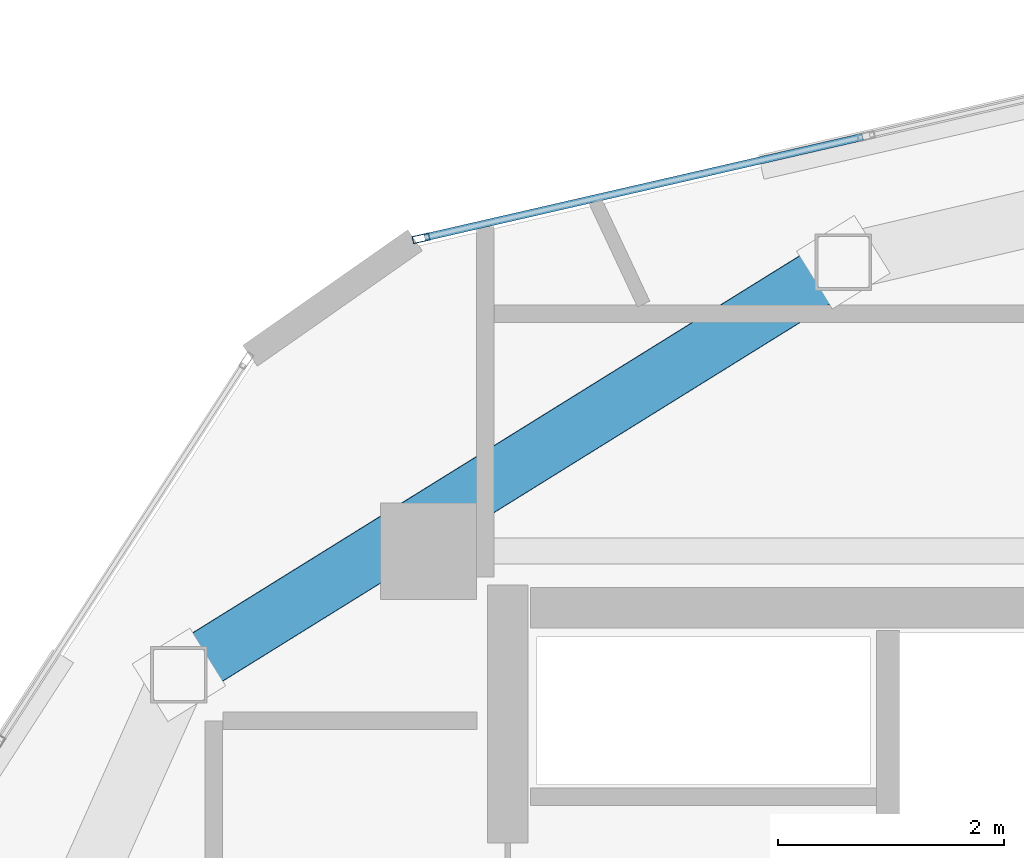
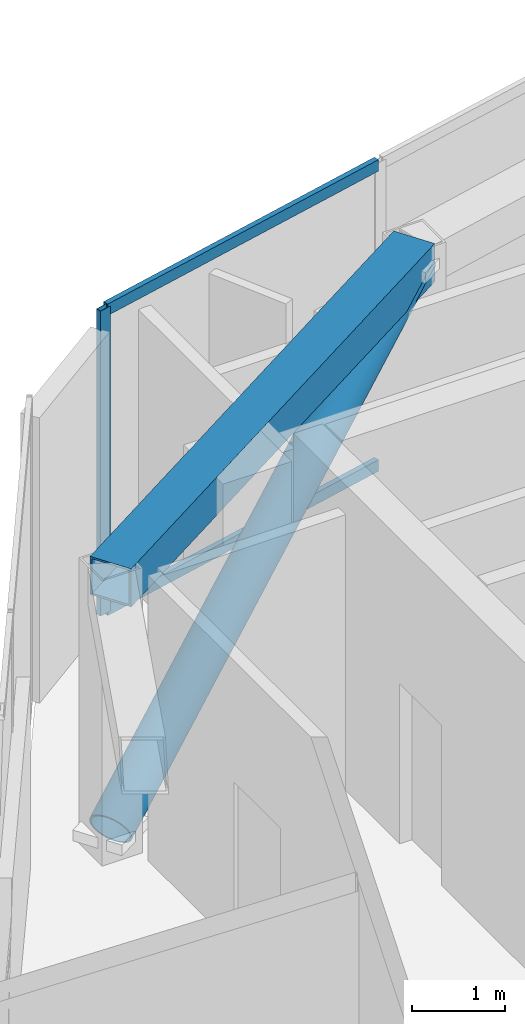
# One storey, part 10 of 21: 4 members, 1 beam, 1 element without a shape of its own.
"""IFC4 building model written with IfcOpenShell, lengths in metres."""

from ifc_helpers import new_model, si_unit, direction, frame, origin, origin_2d, place, context, subcontext, project, spatial, hollow_rectangle, hollow_circle, extrude, source, transform, mapped, material, layer, layer_set, material_profile, profile_set, type_object, type_shapes, element, aggregate, save


model = new_model("IFC4")

# Units and contexts
model_context = context("Model", 3, precision=1e-05, world=origin(), true_north=direction((0.0, 1.0)))
body_context = subcontext(model_context, "Body", "Model", "MODEL_VIEW")
ifc_project = project(units=[si_unit("LENGTHUNIT", "METRE"), si_unit("AREAUNIT", "SQUARE_METRE"), si_unit("VOLUMEUNIT", "CUBIC_METRE"), si_unit("PLANEANGLEUNIT", "RADIAN"), si_unit("MASSUNIT", "GRAM", prefix="KILO")], contexts=[model_context])

# Site, building, storey
site_placement = place(None, origin())
site = spatial("IfcSite", under=ifc_project, at=site_placement, CompositionType="ELEMENT")
building_placement = place(site_placement, origin())
building = spatial("IfcBuilding", under=site, at=building_placement, Name="Talar Marvaseh", CompositionType="ELEMENT")
storey_placement = place(building_placement, frame((0.0, 0.0, 308.0)))
storey = spatial("IfcBuildingStorey", under=building, at=storey_placement, Name="L82", CompositionType="ELEMENT", Elevation=308.0)

# Beam
ifc_material_1 = material(Name="Steel S460", Category="steel")
ifc_material_profile_1 = material_profile(ifc_material_1, hollow_rectangle(XDim=0.5, YDim=0.5, WallThickness=0.02490234375, at=origin_2d()), Name="BOX500x500x25")
ifc_profile_set_1 = profile_set([ifc_material_profile_1], Name="Steel S460")
beam_type = type_object("IfcBeamType", Name="Crown Frame Top Ring Beam BOX500x500x25", PredefinedType="BEAM", material=ifc_profile_set_1)
beam_placement = place(storey_placement, frame((16.493896484375, 35.806884765625, 3.489990234375), z_axis=(0.849439811678, 0.527685518407, 0.0), x_axis=(-0.527685518407, 0.849439811678, 0.0)))
element("IfcBeam", 1, at=beam_placement, inside=storey, type_object=beam_type, Name="L82 Crown Frame Top Ring Beam BOX500x500x25", PredefinedType="BEAM", context=body_context, shape_type="SweptSolid", body=[
    extrude(hollow_rectangle(XDim=0.5, YDim=0.5, WallThickness=0.02490234375, at=origin_2d()), origin(), (0.0, 0.0, 1.0), 6.91162109375),
])

# Member
ifc_material_profile_2 = material_profile(ifc_material_1, hollow_circle(Radius=0.25390625, WallThickness=0.02001953125, at=origin_2d()), Name="CHS508x20")
ifc_profile_set_2 = profile_set([ifc_material_profile_2], Name="Steel S460")
member_type_1 = type_object("IfcMemberType", Name="Crown Frame Diagonal Brace CHS508x20", PredefinedType="BRACE", material=ifc_profile_set_2)
shared_shape_1 = source(origin(), body_context, "Body", "SweptSolid", [
    extrude(hollow_circle(Radius=0.25390625, WallThickness=0.02001953125, at=origin_2d()), origin(), (0.0, 0.0, 1.0), 7.633544921875),
])
type_shapes(member_type_1, [shared_shape_1])
member_1_placement = place(storey_placement, frame((16.493896484375, 35.806884765625, 0.25), z_axis=(0.769127757965, 0.477794393556, 0.424446709745), x_axis=(-0.527685518407, 0.849439811678, 0.0)))
element("IfcMember", 2, at=member_1_placement, inside=storey, type_object=member_type_1, Name="L82 Crown Frame Diagonal Brace 3", PredefinedType="BRACE", context=body_context, shape_type="MappedRepresentation", body=[
    mapped(shared_shape_1, transform((0.0, 0.0, 0.0), x_axis=(1.0, 0.0, 0.0), y_axis=(0.0, 1.0, 0.0), z_axis=(0.0, 0.0, 1.0), scale=1.0)),
])

# Curtain wall, members
ifc_material_2 = material(Name="Architectural Aluminium", Category="aluminium")
ifc_layer = layer(ifc_material_2, 0.2099609375)
ifc_layer_set = layer_set([ifc_layer], Name="Architectural Aluminium")
curtain_wall_type = type_object("IfcCurtainWallType", Name="Crown Plant Acoustic Spandrel Curtain Wall", PredefinedType="NOTDEFINED", material=ifc_layer_set)
curtain_wall_placement = place(storey_placement, origin())
curtain_wall = element("IfcCurtainWall", 3, at=curtain_wall_placement, inside=storey, type_object=curtain_wall_type, Name="L82 Crown Plant Acoustic Spandrel Curtain Wall", PredefinedType="NOTDEFINED")
ifc_material_profile_3 = material_profile(ifc_material_2, hollow_rectangle(XDim=0.06494140625, YDim=0.14990234375, WallThickness=0.00390625, at=origin_2d()), Name="RHS150x65x4")
ifc_profile_set_3 = profile_set([ifc_material_profile_3], Name="Architectural Aluminium")
member_type_2 = type_object("IfcMemberType", Name="Unitised Curtain Wall Slim Transom RHS150x65x4", PredefinedType="USERDEFINED", material=ifc_profile_set_3)
shared_shape_2 = source(origin(), body_context, "Body", "SweptSolid", [
    extrude(hollow_rectangle(XDim=0.06494140625, YDim=0.14990234375, WallThickness=0.00390625, at=origin_2d()), origin(), (0.0, 0.0, 1.0), 3.97119140625),
])
type_shapes(member_type_2, [shared_shape_2])
member_2_placement = place(storey_placement, frame((18.6650390625, 39.672119140625, 0.032470703125), z_axis=(0.974638250657, 0.223786238087, 0.0), x_axis=(-0.223786238087, 0.974638250657, 0.0)))
member_2 = element("IfcMember", 4, at=member_2_placement, type_object=member_type_2, Name="CW-CRN transom 1.1", ObjectType="TRANSOM", PredefinedType="USERDEFINED", context=body_context, shape_type="MappedRepresentation", body=[
    mapped(shared_shape_2, transform((0.0, 0.0, 0.0), x_axis=(1.0, 0.0, 0.0), y_axis=(0.0, 1.0, 0.0), z_axis=(0.0, 0.0, 1.0), scale=1.0)),
])
member_3_placement = place(storey_placement, frame((18.6650390625, 39.672119140625, 3.967529296875), z_axis=(0.974638250657, 0.223786238087, 0.0), x_axis=(-0.223786238087, 0.974638250657, 0.0)))
member_3 = element("IfcMember", 5, at=member_3_placement, type_object=member_type_2, Name="CW-CRN transom 1.2", ObjectType="TRANSOM", PredefinedType="USERDEFINED", context=body_context, shape_type="MappedRepresentation", body=[
    mapped(shared_shape_2, transform((0.0, 0.0, 0.0), x_axis=(1.0, 0.0, 0.0), y_axis=(0.0, 1.0, 0.0), z_axis=(0.0, 0.0, 1.0), scale=1.0)),
])
ifc_material_profile_4 = material_profile(ifc_material_2, hollow_rectangle(XDim=0.06494140625, YDim=0.14990234375, WallThickness=0.00390625, at=origin_2d()), Name="RHS150x65x4")
ifc_profile_set_4 = profile_set([ifc_material_profile_4], Name="Architectural Aluminium")
member_type_3 = type_object("IfcMemberType", Name="Unitised Curtain Wall Slim Mullion RHS150x65x4", PredefinedType="MULLION", material=ifc_profile_set_4)
shared_shape_3 = source(origin(), body_context, "Body", "SweptSolid", [
    extrude(hollow_rectangle(XDim=0.06494140625, YDim=0.14990234375, WallThickness=0.00390625, at=origin_2d()), origin(), (0.0, 0.0, 1.0), 4.0),
])
type_shapes(member_type_3, [shared_shape_3])
member_4_placement = place(storey_placement, frame((18.63330078125, 39.664794921875, 0.0), z_axis=(0.0, 0.0, 1.0), x_axis=(-0.223791926761, 0.974636944465, 0.0)))
member_4 = element("IfcMember", 6, at=member_4_placement, type_object=member_type_3, Name="CW-CRN mullion 1", PredefinedType="MULLION", context=body_context, shape_type="MappedRepresentation", body=[
    mapped(shared_shape_3, transform((0.0, 0.0, 0.0), x_axis=(1.0, 0.0, 0.0), y_axis=(0.0, 1.0, 0.0), z_axis=(0.0, 0.0, 1.0), scale=1.0)),
])
aggregate(curtain_wall, [member_4, member_2, member_3])

save(model, "model.ifc")
